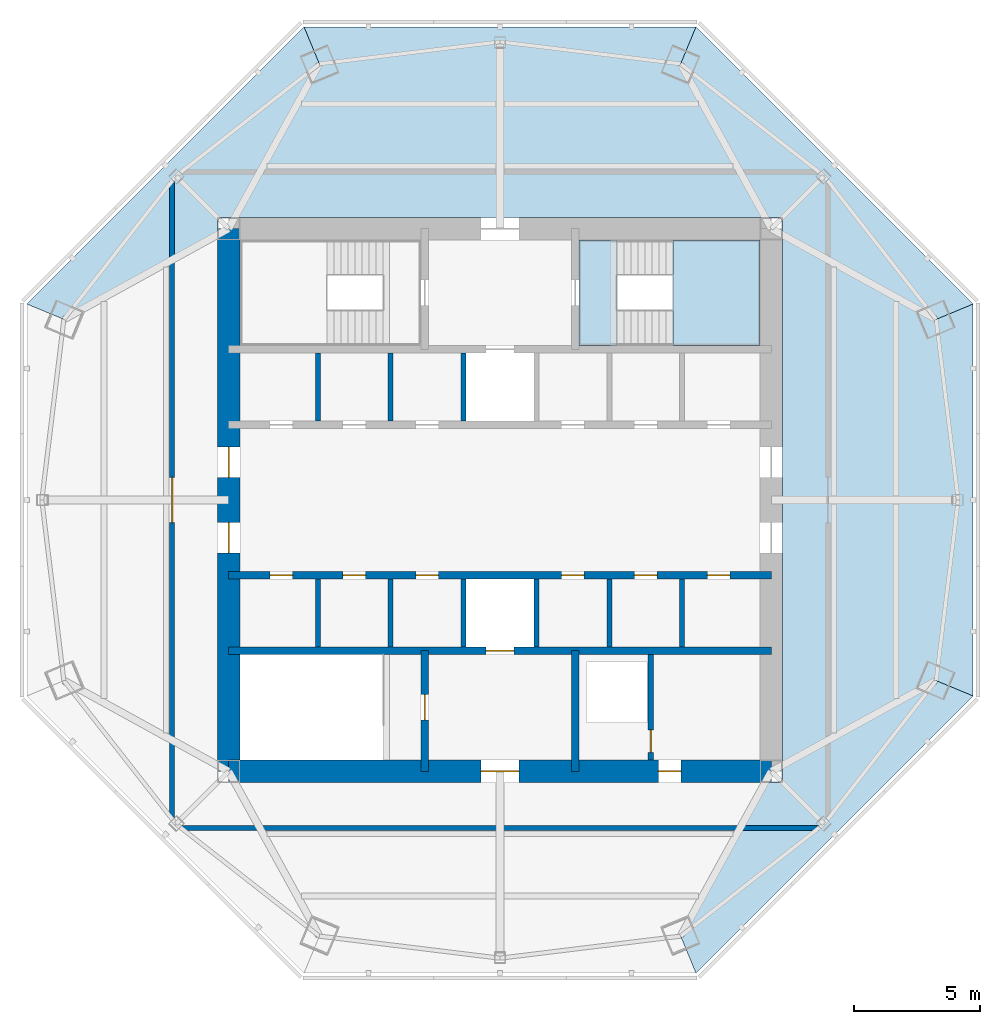
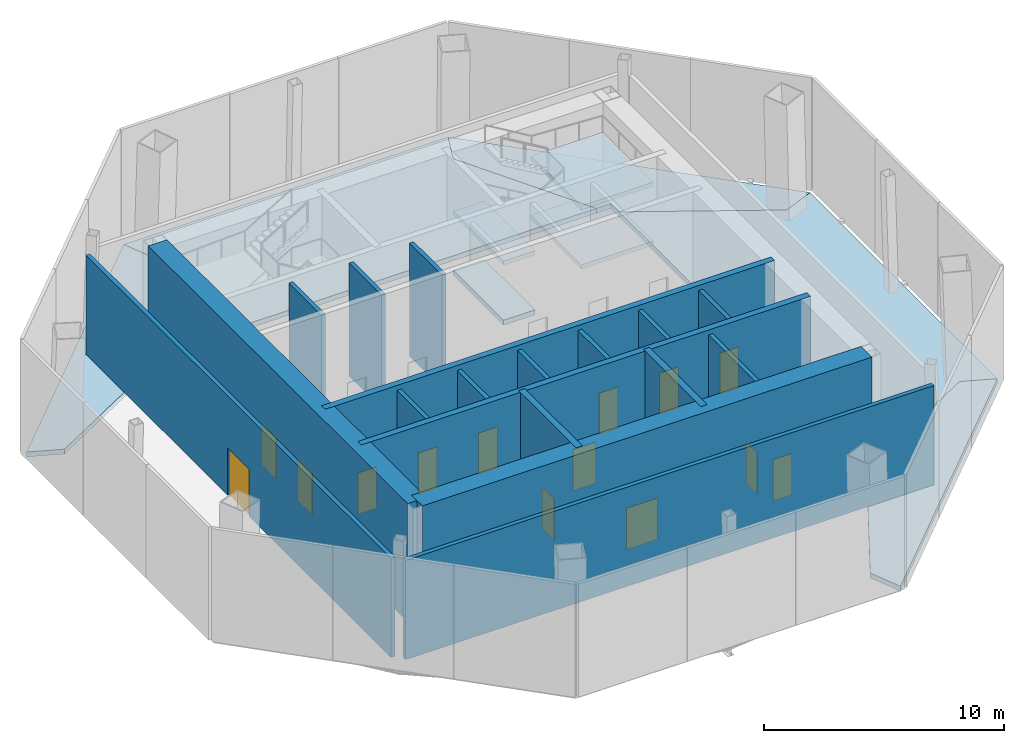
# One storey, part 2 of 6: 18 walls, 14 doors, 9 slabs, 14 openings, 1 element without a shape of its own.
"""IFC4 building model written with IfcOpenShell, lengths in metres."""

from ifc_helpers import new_model, si_unit, direction, frame, frame_2d, origin, place, context, subcontext, project, spatial, polyline, rectangle, outline, extrude, material, layer, layer_set, type_object, element, fill, aggregate, save


model = new_model("IFC4")

# Units and contexts
model_context = context("Model", 3, precision=1e-05, world=origin(), true_north=direction((0.0, 1.0)))
body_context = subcontext(model_context, "Body", "Model", "MODEL_VIEW")
ifc_project = project(units=[si_unit("LENGTHUNIT", "METRE"), si_unit("AREAUNIT", "SQUARE_METRE"), si_unit("VOLUMEUNIT", "CUBIC_METRE"), si_unit("PLANEANGLEUNIT", "RADIAN"), si_unit("MASSUNIT", "GRAM", prefix="KILO")], contexts=[model_context])

# Site, building, storey
site_placement = place(None, origin())
site = spatial("IfcSite", under=ifc_project, at=site_placement, CompositionType="ELEMENT")
building_placement = place(site_placement, origin())
building = spatial("IfcBuilding", under=site, at=building_placement, Name="Mashrafa Tower", CompositionType="ELEMENT")
storey_placement = place(building_placement, frame((0.0, 0.0, 317.60009765625)))
storey = spatial("IfcBuildingStorey", under=building, at=storey_placement, Name="L78", CompositionType="ELEMENT", Elevation=317.60009765625)

# Slabs
ifc_material_1 = material(Name="Concrete C35/45", Category="concrete")
ifc_layer_1 = layer(ifc_material_1, 0.25)
ifc_layer_set_1 = layer_set([ifc_layer_1], Name="Floor slab 250")
slab_type_1 = type_object("IfcSlabType", Name="Floor slab 250", PredefinedType="FLOOR", material=ifc_layer_set_1)
slab_1_placement = place(storey_placement, frame((0.0, 0.0, -0.25)))
element("IfcSlab", 1, at=slab_1_placement, inside=storey, type_object=slab_type_1, Name="Floor slab L78 east bay", PredefinedType="FLOOR", context=body_context, shape_type="SweptSolid", body=[
    extrude(outline(polyline([(18.830322265625, 7.7998046875), (18.830322265625, -7.7998046875), (18.830322265625, -7.7998046875), (17.359130859375, -7.1904296875), (11.25, -10.55224609375), (11.25, 10.55224609375), (17.359130859375, 7.1904296875), (18.830322265625, 7.7998046875), (18.830322265625, 7.7998046875)])), origin(), (0.0, 0.0, 1.0), 0.25),
])
slab_2_placement = place(storey_placement, frame((0.0, 0.0, -0.25)))
element("IfcSlab", 2, at=slab_2_placement, inside=storey, type_object=slab_type_1, Name="Floor slab L78 north-east bay", PredefinedType="FLOOR", context=body_context, shape_type="SweptSolid", body=[
    extrude(outline(polyline([(18.830322265625, 7.7998046875), (17.359130859375, 7.1904296875), (11.25, 10.55224609375), (11.25, 11.25), (10.55224609375, 11.25), (7.1904296875, 17.359130859375), (7.7998046875, 18.830322265625), (18.830322265625, 7.7998046875)])), origin(), (0.0, 0.0, 1.0), 0.25),
])
slab_3_placement = place(storey_placement, frame((0.0, 0.0, -0.25)))
element("IfcSlab", 3, at=slab_3_placement, inside=storey, type_object=slab_type_1, Name="Floor slab L78 north bay", PredefinedType="FLOOR", context=body_context, shape_type="SweptSolid", body=[
    extrude(outline(polyline([(-7.7998046875, 18.830322265625), (7.7998046875, 18.830322265625), (7.7998046875, 18.830322265625), (7.1904296875, 17.359130859375), (10.55224609375, 11.25), (-10.55224609375, 11.25), (-7.1904296875, 17.359130859375), (-7.7998046875, 18.830322265625), (-7.7998046875, 18.830322265625)])), origin(), (0.0, 0.0, 1.0), 0.25),
])
slab_4_placement = place(storey_placement, frame((0.0, 0.0, -0.25)))
element("IfcSlab", 4, at=slab_4_placement, inside=storey, type_object=slab_type_1, Name="Floor slab L78 north-west bay", PredefinedType="FLOOR", context=body_context, shape_type="SweptSolid", body=[
    extrude(outline(polyline([(-7.7998046875, 18.830322265625), (-7.1904296875, 17.359130859375), (-10.55224609375, 11.25), (-11.25, 11.25), (-11.25, 10.55224609375), (-17.359130859375, 7.1904296875), (-18.830322265625, 7.7998046875), (-7.7998046875, 18.830322265625)])), origin(), (0.0, 0.0, 1.0), 0.25),
])
slab_5_placement = place(storey_placement, frame((0.0, 0.0, -0.25)))
element("IfcSlab", 5, at=slab_5_placement, inside=storey, type_object=slab_type_1, Name="Floor slab L78 south-east bay", PredefinedType="FLOOR", context=body_context, shape_type="SweptSolid", body=[
    extrude(outline(polyline([(7.7998046875, -18.830322265625), (7.1904296875, -17.359130859375), (10.55224609375, -11.25), (11.25, -11.25), (11.25, -10.55224609375), (17.359130859375, -7.1904296875), (18.830322265625, -7.7998046875), (7.7998046875, -18.830322265625)])), origin(), (0.0, 0.0, 1.0), 0.25),
])

# Stair, slabs
ifc_material_2 = material(Name="Exit stair 1400")
stair_type = type_object("IfcStairType", Name="Exit stair 1400", PredefinedType="HALF_TURN_STAIR", material=ifc_material_2)
stair_placement = place(storey_placement, origin())
stair = element("IfcStair", 6, at=stair_placement, inside=storey, type_object=stair_type, Name="Stair S2 L78", PredefinedType="HALF_TURN_STAIR")
ifc_material_3 = material(Name="Concrete C32/40", Category="concrete")
ifc_layer_2 = layer(ifc_material_3, 0.199951171875)
ifc_layer_set_2 = layer_set([ifc_layer_2], Name="Stair landing 200")
slab_type_2 = type_object("IfcSlabType", Name="Stair landing 200", PredefinedType="LANDING", material=ifc_layer_set_2)
slab_6_placement = place(storey_placement, frame((0.0, 0.0, 1.2998046875)))
slab_6 = element("IfcSlab", 7, at=slab_6_placement, type_object=slab_type_2, Name="S2 landing 2", PredefinedType="LANDING", context=body_context, shape_type="SweptSolid", body=[
    extrude(outline(polyline([(6.8798828125, 6.14990234375), (10.35009765625, 6.14990234375), (10.35009765625, 10.35009765625), (6.8798828125, 10.35009765625), (6.8798828125, 6.14990234375)])), origin(), (0.0, 0.0, 1.0), 0.2001953125),
])
slab_7_placement = place(storey_placement, frame((0.0, 0.0, 2.7998046875)))
slab_7 = element("IfcSlab", 8, at=slab_7_placement, type_object=slab_type_2, Name="S2 landing 3", PredefinedType="LANDING", context=body_context, shape_type="SweptSolid", body=[
    extrude(outline(polyline([(3.14990234375, 6.14990234375), (4.659912109375, 6.14990234375), (4.659912109375, 10.35009765625), (3.14990234375, 10.35009765625), (3.14990234375, 6.14990234375)])), origin(), (0.0, 0.0, 1.0), 0.2001953125),
])
slab_8_placement = place(storey_placement, frame((0.0, 0.0, 4.2998046875)))
slab_8 = element("IfcSlab", 9, at=slab_8_placement, type_object=slab_type_2, Name="S2 landing 4", PredefinedType="LANDING", context=body_context, shape_type="SweptSolid", body=[
    extrude(outline(polyline([(6.8798828125, 6.14990234375), (10.35009765625, 6.14990234375), (10.35009765625, 10.35009765625), (6.8798828125, 10.35009765625), (6.8798828125, 6.14990234375)])), origin(), (0.0, 0.0, 1.0), 0.2001953125),
])
ifc_material_4 = material(Name="Concrete C32/40", Category="concrete")
ifc_layer_3 = layer(ifc_material_4, 0.25)
ifc_layer_set_3 = layer_set([ifc_layer_3], Name="Stair landing 250")
slab_type_3 = type_object("IfcSlabType", Name="Stair landing 250", PredefinedType="LANDING", material=ifc_layer_set_3)
slab_9_placement = place(storey_placement, frame((0.0, 0.0, -0.25)))
slab_9 = element("IfcSlab", 10, at=slab_9_placement, type_object=slab_type_3, Name="S2 landing 1", PredefinedType="LANDING", context=body_context, shape_type="SweptSolid", body=[
    extrude(outline(polyline([(3.14990234375, 6.14990234375), (4.659912109375, 6.14990234375), (4.659912109375, 10.35009765625), (3.14990234375, 10.35009765625), (3.14990234375, 6.14990234375)])), origin(), (0.0, 0.0, 1.0), 0.25),
])
aggregate(stair, [slab_9, slab_6, slab_7, slab_8])

# Wall, opening, door
ifc_material_5 = material(Name="Concrete masonry unit", Category="masonry")
ifc_layer_4 = layer(ifc_material_5, 0.199951171875)
ifc_layer_set_4 = layer_set([ifc_layer_4], Name="Blockwork wall 200 2 hr")
wall_type_1 = type_object("IfcWallType", Name="Blockwork wall 200 2 hr", PredefinedType="PARTITIONING", material=ifc_layer_set_4)
wall_1_placement = place(storey_placement, frame((-13.050048828125, 12.704833984375, 0.0), z_axis=(0.0, 0.0, 1.0), x_axis=(0.0, -1.0, 0.0)))
wall_1 = element("IfcWall", 11, at=wall_1_placement, inside=storey, type_object=wall_type_1, Name="Blockwork wall L78-003", PredefinedType="PARTITIONING", context=body_context, shape_type="SweptSolid", body=[
    extrude(rectangle(XDim=25.40966796875, YDim=0.199951171875, at=frame_2d((12.704833984375, 0.0))), origin(), (0.0, 0.0, 1.0), 5.04638671875),
])
opening_1_placement = place(wall_1_placement, frame((11.804931640625, 0.0, 0.0)))
opening_1 = element("IfcOpeningElement", 12, at=opening_1_placement, cuts=wall_1, Name="Opening 78.002", PredefinedType="OPENING", context=body_context, shape_type="SweptSolid", body=[
    extrude(rectangle(XDim=1.800048828125, YDim=2.39990234375, at=frame_2d((0.89990234375, 1.199951171875))), frame((0.0, 0.10986328125, 0.0), z_axis=(0.0, -1.0, 0.0), x_axis=(1.0, 0.0, 0.0)), (0.0, 0.0, 1.0), 0.219970703125),
])
ifc_material_6 = material(Name="Steel door", Category="steel")
door_type_1 = type_object("IfcDoorType", Name="Door pair 1800 x 2400 90 min", OperationType="DOUBLE_DOOR_SINGLE_SWING", PredefinedType="DOOR", material=ifc_material_6)
door_1_placement = place(opening_1_placement, frame((1.800048828125, 0.0, 0.0), z_axis=(0.0, 0.0, 1.0), x_axis=(-1.0, 0.0, 0.0)))
door_1 = element("IfcDoor", 13, at=door_1_placement, inside=storey, type_object=door_type_1, Name="Facade Access Equipment Room L78 door", OperationType="DOUBLE_DOOR_SINGLE_SWING", OverallHeight=2.39990234375, OverallWidth=1.800048828125, PredefinedType="DOOR", context=body_context, shape_type="SweptSolid", body=[
    extrude(rectangle(XDim=1.800048828125, YDim=2.39990234375, at=frame_2d((0.89990234375, 1.199951171875))), frame((0.0, 0.02490234375, 0.0), z_axis=(0.0, -1.0, 0.0), x_axis=(1.0, 0.0, 0.0)), (0.0, 0.0, 1.0), 0.050048828125),
])
fill(opening_1, door_1)

# Wall
wall_2_placement = place(storey_placement, frame((-12.704833984375, -13.050048828125, 0.0), z_axis=(0.0, 0.0, 1.0), x_axis=(1.0, 0.0, 0.0)))
element("IfcWall", 14, at=wall_2_placement, inside=storey, type_object=wall_type_1, Name="Blockwork wall L78-004", PredefinedType="PARTITIONING", context=body_context, shape_type="SweptSolid", body=[
    extrude(rectangle(XDim=25.40966796875, YDim=0.199951171875, at=frame_2d((12.704833984375, 0.0))), origin(), (0.0, 0.0, 1.0), 5.04638671875),
])

# Wall, opening, door
wall_3_placement = place(storey_placement, frame((6.0, -10.35009765625, 0.0), z_axis=(0.0, 0.0, 1.0), x_axis=(0.0, 1.0, 0.0)))
wall_3 = element("IfcWall", 15, at=wall_3_placement, inside=storey, type_object=wall_type_1, Name="Riser enclosure wall L78", PredefinedType="PARTITIONING", context=body_context, shape_type="SweptSolid", body=[
    extrude(rectangle(XDim=4.2001953125, YDim=0.199951171875, at=frame_2d((2.10009765625, 0.0))), origin(), (0.0, 0.0, 1.0), 5.75),
])
opening_2_placement = place(wall_3_placement, frame((0.300048828125, 0.0, 0.0)))
opening_2 = element("IfcOpeningElement", 16, at=opening_2_placement, cuts=wall_3, Name="Opening 78.013", PredefinedType="OPENING", context=body_context, shape_type="SweptSolid", body=[
    extrude(rectangle(XDim=0.89990234375, YDim=2.10009765625, at=frame_2d((0.449951171875, 1.050048828125))), frame((0.0, 0.10986328125, 0.0), z_axis=(0.0, -1.0, 0.0), x_axis=(1.0, 0.0, 0.0)), (0.0, 0.0, 1.0), 0.219970703125),
])
ifc_material_7 = material(Name="Steel door", Category="steel")
door_type_2 = type_object("IfcDoorType", Name="Service door 900 x 2100 90 min", OperationType="USERDEFINED", PredefinedType="DOOR", material=ifc_material_7)
door_2_placement = place(opening_2_placement, origin())
door_2 = element("IfcDoor", 17, at=door_2_placement, inside=storey, type_object=door_type_2, Name="Riser door L78", OperationType="SINGLE_SWING_LEFT", OverallHeight=2.10009765625, OverallWidth=0.89990234375, PredefinedType="DOOR", context=body_context, shape_type="SweptSolid", body=[
    extrude(rectangle(XDim=0.89990234375, YDim=2.10009765625, at=frame_2d((0.449951171875, 1.050048828125))), frame((0.0, 0.02490234375, 0.0), z_axis=(0.0, -1.0, 0.0), x_axis=(1.0, 0.0, 0.0)), (0.0, 0.0, 1.0), 0.050048828125),
])
fill(opening_2, door_2)

# Wall, openings, doors
ifc_material_8 = material(Name="Concrete C50/60", Category="concrete")
ifc_layer_5 = layer(ifc_material_8, 0.300048828125)
ifc_layer_set_5 = layer_set([ifc_layer_5], Name="Core wall 300 C50/60")
wall_type_2 = type_object("IfcWallType", Name="Core wall 300 C50/60", PredefinedType="SOLIDWALL", material=ifc_layer_set_5)
wall_4_placement = place(storey_placement, frame((-10.800048828125, -3.0, 0.0), z_axis=(0.0, 0.0, 1.0), x_axis=(1.0, 0.0, 0.0)))
wall_4 = element("IfcWall", 18, at=wall_4_placement, inside=storey, type_object=wall_type_2, Name="Core wall CH-S L78", PredefinedType="SOLIDWALL", context=body_context, shape_type="SweptSolid", body=[
    extrude(rectangle(XDim=21.60009765625, YDim=0.300048828125, at=frame_2d((10.800048828125, 0.0))), origin(), (0.0, 0.0, 1.0), 6.0),
])
opening_3_placement = place(wall_4_placement, frame((1.64990234375, 0.0, 0.0)))
opening_3 = element("IfcOpeningElement", 19, at=opening_3_placement, cuts=wall_4, Name="Opening 78.020", PredefinedType="OPENING", context=body_context, shape_type="SweptSolid", body=[
    extrude(rectangle(XDim=0.89990234375, YDim=2.10009765625, at=frame_2d((0.449951171875, 1.050048828125))), frame((0.0, 0.159912109375, 0.0), z_axis=(0.0, -1.0, 0.0), x_axis=(1.0, 0.0, 0.0)), (0.0, 0.0, 1.0), 0.320068359375),
])
opening_4_placement = place(wall_4_placement, frame((4.550048828125, 0.0, 0.0)))
opening_4 = element("IfcOpeningElement", 20, at=opening_4_placement, cuts=wall_4, Name="Opening 78.021", PredefinedType="OPENING", context=body_context, shape_type="SweptSolid", body=[
    extrude(rectangle(XDim=0.89990234375, YDim=2.10009765625, at=frame_2d((0.449951171875, 1.050048828125))), frame((0.0, 0.159912109375, 0.0), z_axis=(0.0, -1.0, 0.0), x_axis=(1.0, 0.0, 0.0)), (0.0, 0.0, 1.0), 0.320068359375),
])
opening_5_placement = place(wall_4_placement, frame((7.449951171875, 0.0, 0.0)))
opening_5 = element("IfcOpeningElement", 21, at=opening_5_placement, cuts=wall_4, Name="Opening 78.022", PredefinedType="OPENING", context=body_context, shape_type="SweptSolid", body=[
    extrude(rectangle(XDim=0.89990234375, YDim=2.10009765625, at=frame_2d((0.449951171875, 1.050048828125))), frame((0.0, 0.159912109375, 0.0), z_axis=(0.0, -1.0, 0.0), x_axis=(1.0, 0.0, 0.0)), (0.0, 0.0, 1.0), 0.320068359375),
])
opening_6_placement = place(wall_4_placement, frame((13.25, 0.0, 0.0)))
opening_6 = element("IfcOpeningElement", 22, at=opening_6_placement, cuts=wall_4, Name="Opening 78.023", PredefinedType="OPENING", context=body_context, shape_type="SweptSolid", body=[
    extrude(rectangle(XDim=0.89990234375, YDim=2.10009765625, at=frame_2d((0.449951171875, 1.050048828125))), frame((0.0, 0.159912109375, 0.0), z_axis=(0.0, -1.0, 0.0), x_axis=(1.0, 0.0, 0.0)), (0.0, 0.0, 1.0), 0.320068359375),
])
opening_7_placement = place(wall_4_placement, frame((16.14990234375, 0.0, 0.0)))
opening_7 = element("IfcOpeningElement", 23, at=opening_7_placement, cuts=wall_4, Name="Opening 78.024", PredefinedType="OPENING", context=body_context, shape_type="SweptSolid", body=[
    extrude(rectangle(XDim=0.89990234375, YDim=2.10009765625, at=frame_2d((0.449951171875, 1.050048828125))), frame((0.0, 0.159912109375, 0.0), z_axis=(0.0, -1.0, 0.0), x_axis=(1.0, 0.0, 0.0)), (0.0, 0.0, 1.0), 0.320068359375),
])
opening_8_placement = place(wall_4_placement, frame((19.050048828125, 0.0, 0.0)))
opening_8 = element("IfcOpeningElement", 24, at=opening_8_placement, cuts=wall_4, Name="Opening 78.025", PredefinedType="OPENING", context=body_context, shape_type="SweptSolid", body=[
    extrude(rectangle(XDim=0.89990234375, YDim=2.10009765625, at=frame_2d((0.449951171875, 1.050048828125))), frame((0.0, 0.159912109375, 0.0), z_axis=(0.0, -1.0, 0.0), x_axis=(1.0, 0.0, 0.0)), (0.0, 0.0, 1.0), 0.320068359375),
])
ifc_material_9 = material(Name="Timber door", Category="wood")
door_type_3 = type_object("IfcDoorType", Name="Store door 900 x 2100", OperationType="USERDEFINED", PredefinedType="DOOR", material=ifc_material_9)
door_3_placement = place(opening_3_placement, frame((0.89990234375, 0.0, 0.0), z_axis=(0.0, 0.0, 1.0), x_axis=(-1.0, 0.0, 0.0)))
door_3 = element("IfcDoor", 25, at=door_3_placement, inside=storey, type_object=door_type_3, Name="Plant Store L78-B1 door", OperationType="SINGLE_SWING_LEFT", OverallHeight=2.10009765625, OverallWidth=0.89990234375, PredefinedType="DOOR", context=body_context, shape_type="SweptSolid", body=[
    extrude(rectangle(XDim=0.89990234375, YDim=2.10009765625, at=frame_2d((0.449951171875, 1.050048828125))), frame((0.0, 0.02490234375, 0.0), z_axis=(0.0, -1.0, 0.0), x_axis=(1.0, 0.0, 0.0)), (0.0, 0.0, 1.0), 0.050048828125),
])
fill(opening_3, door_3)
door_4_placement = place(opening_4_placement, frame((0.89990234375, 0.0, 0.0), z_axis=(0.0, 0.0, 1.0), x_axis=(-1.0, 0.0, 0.0)))
door_4 = element("IfcDoor", 26, at=door_4_placement, inside=storey, type_object=door_type_3, Name="Plant Store L78-B2 door", OperationType="SINGLE_SWING_RIGHT", OverallHeight=2.10009765625, OverallWidth=0.89990234375, PredefinedType="DOOR", context=body_context, shape_type="SweptSolid", body=[
    extrude(rectangle(XDim=0.89990234375, YDim=2.10009765625, at=frame_2d((0.449951171875, 1.050048828125))), frame((0.0, 0.02490234375, 0.0), z_axis=(0.0, -1.0, 0.0), x_axis=(1.0, 0.0, 0.0)), (0.0, 0.0, 1.0), 0.050048828125),
])
fill(opening_4, door_4)
door_5_placement = place(opening_5_placement, frame((0.89990234375, 0.0, 0.0), z_axis=(0.0, 0.0, 1.0), x_axis=(-1.0, 0.0, 0.0)))
door_5 = element("IfcDoor", 27, at=door_5_placement, inside=storey, type_object=door_type_3, Name="Plant Store L78-B3 door", OperationType="SINGLE_SWING_RIGHT", OverallHeight=2.10009765625, OverallWidth=0.89990234375, PredefinedType="DOOR", context=body_context, shape_type="SweptSolid", body=[
    extrude(rectangle(XDim=0.89990234375, YDim=2.10009765625, at=frame_2d((0.449951171875, 1.050048828125))), frame((0.0, 0.02490234375, 0.0), z_axis=(0.0, -1.0, 0.0), x_axis=(1.0, 0.0, 0.0)), (0.0, 0.0, 1.0), 0.050048828125),
])
fill(opening_5, door_5)
door_6_placement = place(opening_6_placement, frame((0.89990234375, 0.0, 0.0), z_axis=(0.0, 0.0, 1.0), x_axis=(-1.0, 0.0, 0.0)))
door_6 = element("IfcDoor", 28, at=door_6_placement, inside=storey, type_object=door_type_3, Name="Plant Store L78-B4 door", OperationType="SINGLE_SWING_RIGHT", OverallHeight=2.10009765625, OverallWidth=0.89990234375, PredefinedType="DOOR", context=body_context, shape_type="SweptSolid", body=[
    extrude(rectangle(XDim=0.89990234375, YDim=2.10009765625, at=frame_2d((0.449951171875, 1.050048828125))), frame((0.0, 0.02490234375, 0.0), z_axis=(0.0, -1.0, 0.0), x_axis=(1.0, 0.0, 0.0)), (0.0, 0.0, 1.0), 0.050048828125),
])
fill(opening_6, door_6)
door_7_placement = place(opening_7_placement, frame((0.89990234375, 0.0, 0.0), z_axis=(0.0, 0.0, 1.0), x_axis=(-1.0, 0.0, 0.0)))
door_7 = element("IfcDoor", 29, at=door_7_placement, inside=storey, type_object=door_type_3, Name="Plant Store L78-R1 door", OperationType="SINGLE_SWING_RIGHT", OverallHeight=2.10009765625, OverallWidth=0.89990234375, PredefinedType="DOOR", context=body_context, shape_type="SweptSolid", body=[
    extrude(rectangle(XDim=0.89990234375, YDim=2.10009765625, at=frame_2d((0.449951171875, 1.050048828125))), frame((0.0, 0.02490234375, 0.0), z_axis=(0.0, -1.0, 0.0), x_axis=(1.0, 0.0, 0.0)), (0.0, 0.0, 1.0), 0.050048828125),
])
fill(opening_7, door_7)
door_8_placement = place(opening_8_placement, frame((0.89990234375, 0.0, 0.0), z_axis=(0.0, 0.0, 1.0), x_axis=(-1.0, 0.0, 0.0)))
door_8 = element("IfcDoor", 30, at=door_8_placement, inside=storey, type_object=door_type_3, Name="Plant Store L78-R2 door", OperationType="SINGLE_SWING_RIGHT", OverallHeight=2.10009765625, OverallWidth=0.89990234375, PredefinedType="DOOR", context=body_context, shape_type="SweptSolid", body=[
    extrude(rectangle(XDim=0.89990234375, YDim=2.10009765625, at=frame_2d((0.449951171875, 1.050048828125))), frame((0.0, 0.02490234375, 0.0), z_axis=(0.0, -1.0, 0.0), x_axis=(1.0, 0.0, 0.0)), (0.0, 0.0, 1.0), 0.050048828125),
])
fill(opening_8, door_8)

# Wall, opening, door
wall_5_placement = place(storey_placement, frame((-10.800048828125, -6.0, 0.0), z_axis=(0.0, 0.0, 1.0), x_axis=(1.0, 0.0, 0.0)))
wall_5 = element("IfcWall", 31, at=wall_5_placement, inside=storey, type_object=wall_type_2, Name="Core wall CB-S L78", PredefinedType="SOLIDWALL", context=body_context, shape_type="SweptSolid", body=[
    extrude(rectangle(XDim=21.60009765625, YDim=0.300048828125, at=frame_2d((10.800048828125, 0.0))), origin(), (0.0, 0.0, 1.0), 6.0),
])
opening_9_placement = place(wall_5_placement, frame((10.25, 0.0, 0.0)))
opening_9 = element("IfcOpeningElement", 32, at=opening_9_placement, cuts=wall_5, Name="Opening 78.F2", PredefinedType="OPENING", context=body_context, shape_type="SweptSolid", body=[
    extrude(rectangle(XDim=1.10009765625, YDim=2.10009765625, at=frame_2d((0.550048828125, 1.050048828125))), frame((0.0, 0.159912109375, 0.0), z_axis=(0.0, -1.0, 0.0), x_axis=(1.0, 0.0, 0.0)), (0.0, 0.0, 1.0), 0.320068359375),
])
ifc_material_10 = material(Name="Steel door", Category="steel")
door_type_4 = type_object("IfcDoorType", Name="Lift landing door 1100 x 2100 90 min", OperationType="DOUBLE_DOOR_SLIDING", PredefinedType="DOOR", material=ifc_material_10)
door_9_placement = place(opening_9_placement, origin())
door_9 = element("IfcDoor", 33, at=door_9_placement, inside=storey, type_object=door_type_4, Name="Lift landing door F2 L78", OperationType="DOUBLE_DOOR_SLIDING", OverallHeight=2.10009765625, OverallWidth=1.10009765625, PredefinedType="DOOR", context=body_context, shape_type="SweptSolid", body=[
    extrude(rectangle(XDim=1.10009765625, YDim=2.10009765625, at=frame_2d((0.550048828125, 1.050048828125))), frame((0.0, 0.02490234375, 0.0), z_axis=(0.0, -1.0, 0.0), x_axis=(1.0, 0.0, 0.0)), (0.0, 0.0, 1.0), 0.050048828125),
])
fill(opening_9, door_9)

wall_6_placement = place(storey_placement, frame((-3.0, -6.0, 0.0), z_axis=(0.0, 0.0, 1.0), x_axis=(0.0, -1.0, 0.0)))
wall_6 = element("IfcWall", 34, at=wall_6_placement, inside=storey, type_object=wall_type_2, Name="Core wall CX-SW L78", PredefinedType="SOLIDWALL", context=body_context, shape_type="SweptSolid", body=[
    extrude(rectangle(XDim=4.800048828125, YDim=0.300048828125, at=frame_2d((2.39990234375, 0.0))), origin(), (0.0, 0.0, 1.0), 6.0),
])
opening_10_placement = place(wall_6_placement, frame((1.75, 0.0, 0.0)))
opening_10 = element("IfcOpeningElement", 35, at=opening_10_placement, cuts=wall_6, Name="Opening 78.011", PredefinedType="OPENING", context=body_context, shape_type="SweptSolid", body=[
    extrude(rectangle(XDim=1.0, YDim=2.10009765625, at=frame_2d((0.5, 1.050048828125))), frame((0.0, 0.159912109375, 0.0), z_axis=(0.0, -1.0, 0.0), x_axis=(1.0, 0.0, 0.0)), (0.0, 0.0, 1.0), 0.320068359375),
])
ifc_material_11 = material(Name="Steel door", Category="steel")
door_type_5 = type_object("IfcDoorType", Name="Stair door 1000 x 2100 90 min", OperationType="USERDEFINED", PredefinedType="DOOR", material=ifc_material_11)
door_10_placement = place(opening_10_placement, frame((1.0, 0.0, 0.0), z_axis=(0.0, 0.0, 1.0), x_axis=(-1.0, 0.0, 0.0)))
door_10 = element("IfcDoor", 36, at=door_10_placement, inside=storey, type_object=door_type_5, Name="Stair S3 door L78", OperationType="SINGLE_SWING_RIGHT", OverallHeight=2.10009765625, OverallWidth=1.0, PredefinedType="DOOR", context=body_context, shape_type="SweptSolid", body=[
    extrude(rectangle(XDim=1.0, YDim=2.10009765625, at=frame_2d((0.5, 1.050048828125))), frame((0.0, 0.02490234375, 0.0), z_axis=(0.0, -1.0, 0.0), x_axis=(1.0, 0.0, 0.0)), (0.0, 0.0, 1.0), 0.050048828125),
])
fill(opening_10, door_10)

# Wall
wall_7_placement = place(storey_placement, frame((3.0, -6.0, 0.0), z_axis=(0.0, 0.0, 1.0), x_axis=(0.0, -1.0, 0.0)))
element("IfcWall", 37, at=wall_7_placement, inside=storey, type_object=wall_type_2, Name="Core wall CX-SE L78", PredefinedType="SOLIDWALL", context=body_context, shape_type="SweptSolid", body=[
    extrude(rectangle(XDim=4.800048828125, YDim=0.300048828125, at=frame_2d((2.39990234375, 0.0))), origin(), (0.0, 0.0, 1.0), 6.0),
])

# Wall, openings, doors
ifc_material_12 = material(Name="Concrete C50/60", Category="concrete")
ifc_layer_6 = layer(ifc_material_12, 0.89990234375)
ifc_layer_set_6 = layer_set([ifc_layer_6], Name="Core wall 900 C50/60")
wall_type_3 = type_object("IfcWallType", Name="Core wall 900 C50/60", PredefinedType="SOLIDWALL", material=ifc_layer_set_6)
wall_8_placement = place(storey_placement, frame((-10.800048828125, -10.800048828125, 0.0), z_axis=(0.0, 0.0, 1.0), x_axis=(1.0, 0.0, 0.0)))
wall_8 = element("IfcWall", 38, at=wall_8_placement, inside=storey, type_object=wall_type_3, Name="Core wall CW-S L78", PredefinedType="SOLIDWALL", context=body_context, shape_type="SweptSolid", body=[
    extrude(rectangle(XDim=21.60009765625, YDim=0.89990234375, at=frame_2d((10.800048828125, 0.0))), origin(), (0.0, 0.0, 1.0), 6.0),
])
opening_11_placement = place(wall_8_placement, frame((10.050048828125, 0.0, 0.0)))
opening_11 = element("IfcOpeningElement", 39, at=opening_11_placement, cuts=wall_8, Name="Opening 78.008", PredefinedType="OPENING", context=body_context, shape_type="SweptSolid", body=[
    extrude(rectangle(XDim=1.5, YDim=2.10009765625, at=frame_2d((0.75, 1.050048828125))), frame((0.0, 0.4599609375, 0.0), z_axis=(0.0, -1.0, 0.0), x_axis=(1.0, 0.0, 0.0)), (0.0, 0.0, 1.0), 0.919921875),
])
opening_12_placement = place(wall_8_placement, frame((17.10009765625, 0.0, 0.0)))
opening_12 = element("IfcOpeningElement", 40, at=opening_12_placement, cuts=wall_8, Name="Opening 78.012", PredefinedType="OPENING", context=body_context, shape_type="SweptSolid", body=[
    extrude(rectangle(XDim=0.89990234375, YDim=2.10009765625, at=frame_2d((0.449951171875, 1.050048828125))), frame((0.0, 0.4599609375, 0.0), z_axis=(0.0, -1.0, 0.0), x_axis=(1.0, 0.0, 0.0)), (0.0, 0.0, 1.0), 0.919921875),
])
ifc_material_13 = material(Name="Steel door", Category="steel")
door_type_6 = type_object("IfcDoorType", Name="Lobby door pair 1500 x 2100 90 min", OperationType="DOUBLE_DOOR_SINGLE_SWING", PredefinedType="DOOR", material=ifc_material_13)
door_11_placement = place(opening_11_placement, origin())
door_11 = element("IfcDoor", 41, at=door_11_placement, inside=storey, type_object=door_type_6, Name="Fire-fighting lobby F2 door L78", OperationType="DOUBLE_DOOR_SINGLE_SWING", OverallHeight=2.10009765625, OverallWidth=1.5, PredefinedType="DOOR", context=body_context, shape_type="SweptSolid", body=[
    extrude(rectangle(XDim=1.5, YDim=2.10009765625, at=frame_2d((0.75, 1.050048828125))), frame((0.0, 0.02490234375, 0.0), z_axis=(0.0, -1.0, 0.0), x_axis=(1.0, 0.0, 0.0)), (0.0, 0.0, 1.0), 0.050048828125),
])
fill(opening_11, door_11)
door_12_placement = place(opening_12_placement, origin())
door_12 = element("IfcDoor", 42, at=door_12_placement, inside=storey, type_object=door_type_2, Name="Facade Access Control Room L78 door", OperationType="SINGLE_SWING_LEFT", OverallHeight=2.10009765625, OverallWidth=0.89990234375, PredefinedType="DOOR", context=body_context, shape_type="SweptSolid", body=[
    extrude(rectangle(XDim=0.89990234375, YDim=2.10009765625, at=frame_2d((0.449951171875, 1.050048828125))), frame((0.0, 0.02490234375, 0.0), z_axis=(0.0, -1.0, 0.0), x_axis=(1.0, 0.0, 0.0)), (0.0, 0.0, 1.0), 0.050048828125),
])
fill(opening_12, door_12)

wall_9_placement = place(storey_placement, frame((-10.800048828125, 10.800048828125, 0.0), z_axis=(0.0, 0.0, 1.0), x_axis=(0.0, -1.0, 0.0)))
wall_9 = element("IfcWall", 43, at=wall_9_placement, inside=storey, type_object=wall_type_3, Name="Core wall CW-W L78", PredefinedType="SOLIDWALL", context=body_context, shape_type="SweptSolid", body=[
    extrude(rectangle(XDim=21.60009765625, YDim=0.89990234375, at=frame_2d((10.800048828125, 0.0))), origin(), (0.0, 0.0, 1.0), 6.0),
])
opening_13_placement = place(wall_9_placement, frame((8.699951171875, 0.0, 0.0)))
opening_13 = element("IfcOpeningElement", 44, at=opening_13_placement, cuts=wall_9, Name="Opening 78.004", PredefinedType="OPENING", context=body_context, shape_type="SweptSolid", body=[
    extrude(rectangle(XDim=1.199951171875, YDim=2.10009765625, at=frame_2d((0.60009765625, 1.050048828125))), frame((0.0, 0.4599609375, 0.0), z_axis=(0.0, -1.0, 0.0), x_axis=(1.0, 0.0, 0.0)), (0.0, 0.0, 1.0), 0.919921875),
])
opening_14_placement = place(wall_9_placement, frame((11.699951171875, 0.0, 0.0)))
opening_14 = element("IfcOpeningElement", 45, at=opening_14_placement, cuts=wall_9, Name="Opening 78.006", PredefinedType="OPENING", context=body_context, shape_type="SweptSolid", body=[
    extrude(rectangle(XDim=1.199951171875, YDim=2.10009765625, at=frame_2d((0.60009765625, 1.050048828125))), frame((0.0, 0.4599609375, 0.0), z_axis=(0.0, -1.0, 0.0), x_axis=(1.0, 0.0, 0.0)), (0.0, 0.0, 1.0), 0.919921875),
])
ifc_material_14 = material(Name="Steel door", Category="steel")
door_type_7 = type_object("IfcDoorType", Name="Lift hall door 1200 x 2100 90 min", OperationType="USERDEFINED", PredefinedType="DOOR", material=ifc_material_14)
door_13_placement = place(opening_13_placement, frame((1.199951171875, 0.0, 0.0), z_axis=(0.0, 0.0, 1.0), x_axis=(-1.0, 0.0, 0.0)))
door_13 = element("IfcDoor", 46, at=door_13_placement, inside=storey, type_object=door_type_7, Name="Lift hall door west L78", OperationType="SINGLE_SWING_RIGHT", OverallHeight=2.10009765625, OverallWidth=1.199951171875, PredefinedType="DOOR", context=body_context, shape_type="SweptSolid", body=[
    extrude(rectangle(XDim=1.199951171875, YDim=2.10009765625, at=frame_2d((0.60009765625, 1.050048828125))), frame((0.0, 0.02490234375, 0.0), z_axis=(0.0, -1.0, 0.0), x_axis=(1.0, 0.0, 0.0)), (0.0, 0.0, 1.0), 0.050048828125),
])
fill(opening_13, door_13)
door_14_placement = place(opening_14_placement, frame((1.199951171875, 0.0, 0.0), z_axis=(0.0, 0.0, 1.0), x_axis=(-1.0, 0.0, 0.0)))
door_14 = element("IfcDoor", 47, at=door_14_placement, inside=storey, type_object=door_type_7, Name="Lift hall door west L78", OperationType="SINGLE_SWING_LEFT", OverallHeight=2.10009765625, OverallWidth=1.199951171875, PredefinedType="DOOR", context=body_context, shape_type="SweptSolid", body=[
    extrude(rectangle(XDim=1.199951171875, YDim=2.10009765625, at=frame_2d((0.60009765625, 1.050048828125))), frame((0.0, 0.02490234375, 0.0), z_axis=(0.0, -1.0, 0.0), x_axis=(1.0, 0.0, 0.0)), (0.0, 0.0, 1.0), 0.050048828125),
])
fill(opening_14, door_14)

# Walls
ifc_material_15 = material(Name="Gypsum shaft wall on steel studs", Category="steel")
ifc_layer_7 = layer(ifc_material_15, 0.199951171875)
ifc_layer_set_7 = layer_set([ifc_layer_7], Name="Shaft divider wall 200 2 hr")
wall_type_4 = type_object("IfcWallType", Name="Shaft divider wall 200 2 hr", PredefinedType="PARTITIONING", material=ifc_layer_set_7)
for number, where, z_axis, x_axis, name in (
    (48, (-7.25, 3.14990234375, 0.0), (0.0, 0.0, 1.0), (0.0, 1.0, 0.0), "Shaft divider wall N1 L78"),
    (49, (-4.35009765625, 3.14990234375, 0.0), (0.0, 0.0, 1.0), (0.0, 1.0, 0.0), "Shaft divider wall N2 L78"),
    (50, (-1.449951171875, 3.14990234375, 0.0), (0.0, 0.0, 1.0), (0.0, 1.0, 0.0), "Shaft divider wall N3 L78"),
    (51, (-7.25, -5.85009765625, 0.0), (0.0, 0.0, 1.0), (0.0, 1.0, 0.0), "Shaft divider wall S1 L78"),
    (52, (-4.35009765625, -5.85009765625, 0.0), (0.0, 0.0, 1.0), (0.0, 1.0, 0.0), "Shaft divider wall S2 L78"),
    (53, (-1.449951171875, -5.85009765625, 0.0), (0.0, 0.0, 1.0), (0.0, 1.0, 0.0), "Shaft divider wall S3 L78"),
    (54, (1.449951171875, -5.85009765625, 0.0), (0.0, 0.0, 1.0), (0.0, 1.0, 0.0), "Shaft divider wall S4 L78"),
    (55, (4.35009765625, -5.85009765625, 0.0), (0.0, 0.0, 1.0), (0.0, 1.0, 0.0), "Shaft divider wall S5 L78"),
    (56, (7.25, -5.85009765625, 0.0), (0.0, 0.0, 1.0), (0.0, 1.0, 0.0), "Shaft divider wall S6 L78"),
):
    element("IfcWall", number, at=place(storey_placement, frame(where, z_axis=z_axis, x_axis=x_axis)), inside=storey, type_object=wall_type_4, Name=name, PredefinedType="PARTITIONING", context=body_context, shape_type="SweptSolid", body=[
        extrude(rectangle(XDim=2.7001953125, YDim=0.199951171875, at=frame_2d((1.35009765625, 0.0))), origin(), (0.0, 0.0, 1.0), 5.75),
    ])

save(model, "model.ifc")
